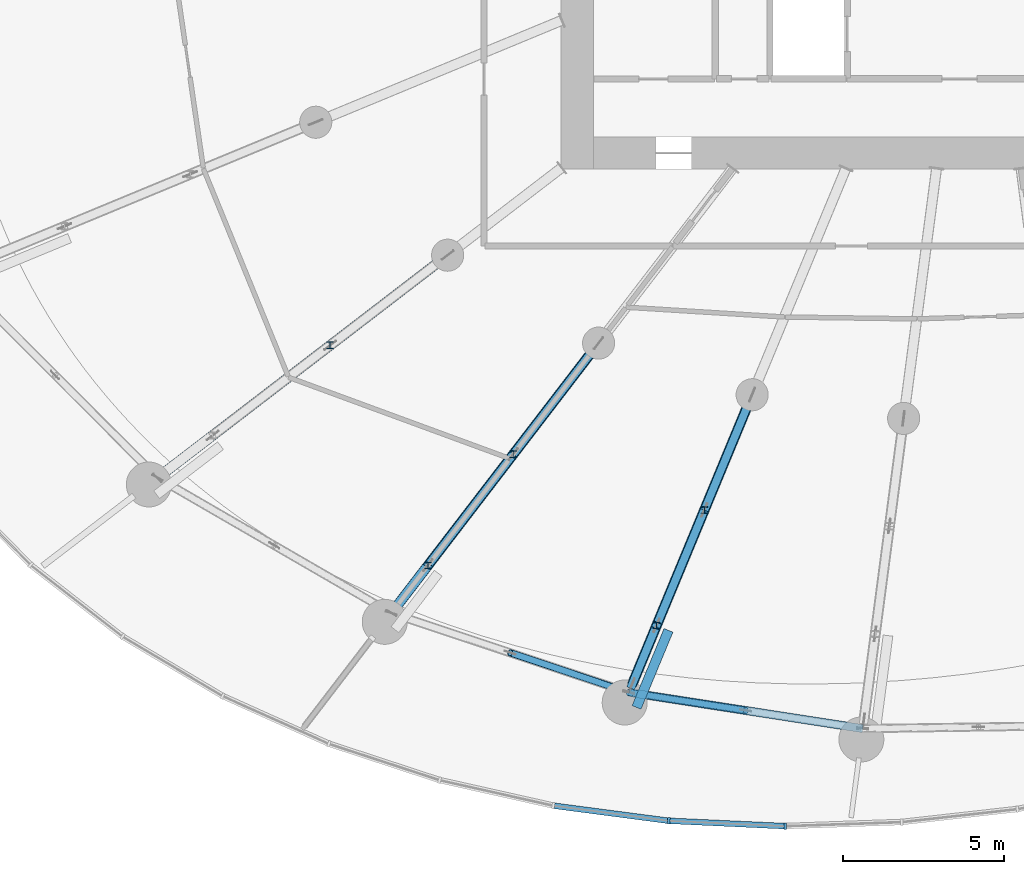
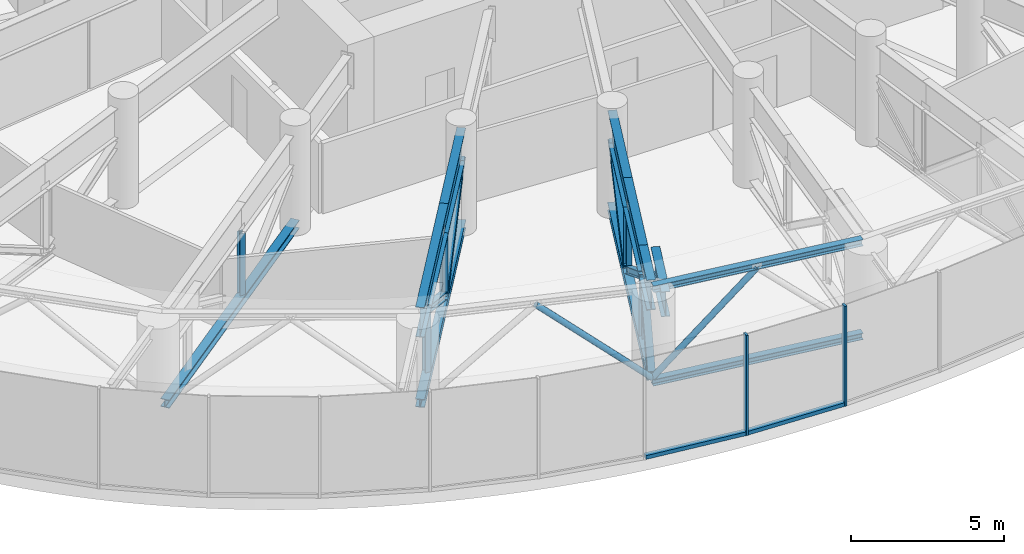
# One storey, part 3 of 42: 21 members, 6 beams, 1 element without a shape of its own.
"""IFC4 building model written with IfcOpenShell, lengths in metres."""

from ifc_helpers import new_model, si_unit, direction, frame, origin, origin_2d, place, context, subcontext, project, spatial, rectangle, hollow_circle, i_section, extrude, source, transform, mapped, material, layer, layer_set, material_profile, profile_set, type_object, element, aggregate, save


model = new_model("IFC4")

# Units and contexts
model_context = context("Model", 3, precision=1e-05, world=origin(), true_north=direction((0.0, 1.0)))
body_context = subcontext(model_context, "Body", "Model", "MODEL_VIEW")
ifc_project = project(units=[si_unit("LENGTHUNIT", "METRE"), si_unit("AREAUNIT", "SQUARE_METRE"), si_unit("VOLUMEUNIT", "CUBIC_METRE"), si_unit("PLANEANGLEUNIT", "RADIAN"), si_unit("MASSUNIT", "GRAM", prefix="KILO")], contexts=[model_context])

# Site, building, storey
site_placement = place(None, origin())
site = spatial("IfcSite", under=ifc_project, at=site_placement, CompositionType="ELEMENT")
building_placement = place(site_placement, origin())
building = spatial("IfcBuilding", under=site, at=building_placement, Name="Spindrift Exchange Tower", CompositionType="ELEMENT")
storey_placement = place(building_placement, frame((0.0, 0.0, 75.39990234375)))
storey = spatial("IfcBuildingStorey", under=building, at=storey_placement, Name="L17", CompositionType="ELEMENT", Elevation=75.39990234375)

# Members
ifc_material_1 = material(Name="Steel Grade 300", Category="steel")
ifc_material_profile_1 = material_profile(ifc_material_1, i_section(OverallWidth=0.205078125, OverallDepth=0.2099609375, WebThickness=0.00927734375, FlangeThickness=0.01416015625, FilletRadius=0.012939453125, at=origin_2d()), Name="200UC59.5")
ifc_profile_set_1 = profile_set([ifc_material_profile_1], Name="Steel Grade 300")
member_type_1 = type_object("IfcMemberType", Name="Outrigger Truss Post 200UC59.5 Steel Grade 300", PredefinedType="POST", material=ifc_profile_set_1)
shared_shape_1 = source(origin(), body_context, "Body", "SweptSolid", [
    extrude(i_section(OverallWidth=0.205078125, OverallDepth=0.2099609375, WebThickness=0.00927734375, FlangeThickness=0.01416015625, FilletRadius=0.012939453125, at=origin_2d()), origin(), (0.0, 0.0, 1.0), 2.472900390625),
])
for number, where, z_axis, x_axis, name in (
    (1, (31.80859375, 32.506591796875, 0.3271484375), (0.0, 0.0, 1.0), (1.0, 0.0, 0.0), "L17 outrigger truss 15 post 2"),
    (2, (37.509521484375, 29.11572265625, 0.3271484375), (0.0, 0.0, 1.0), (1.0, 0.0, 0.0), "L17 outrigger truss 16 post 2"),
    (3, (34.854248046875, 25.6552734375, 0.3271484375), (0.0, 0.0, 1.0), (1.0, 0.0, 0.0), "L17 outrigger truss 16 post 3"),
    (4, (43.458251953125, 27.37841796875, 0.3271484375), (0.0, 0.0, 1.0), (1.0, 0.0, 0.0), "L17 outrigger truss 17 post 2"),
    (5, (41.970947265625, 23.787841796875, 0.3271484375), (0.0, 0.0, 1.0), (1.0, 0.0, 0.0), "L17 outrigger truss 17 post 3"),
):
    element("IfcMember", number, at=place(storey_placement, frame(where, z_axis=z_axis, x_axis=x_axis)), inside=storey, type_object=member_type_1, Name=name, PredefinedType="POST", context=body_context, shape_type="MappedRepresentation", body=[
        mapped(shared_shape_1, transform((0.0, 0.0, 0.0), scale=1.0)),
    ])
ifc_material_profile_2 = material_profile(ifc_material_1, i_section(OverallWidth=0.31103515625, OverallDepth=0.326904296875, WebThickness=0.015625, FlangeThickness=0.02490234375, FilletRadius=0.0166015625, at=origin_2d()), Name="310UC158")
ifc_profile_set_2 = profile_set([ifc_material_profile_2], Name="Steel Grade 300")
member_type_2 = type_object("IfcMemberType", Name="Outrigger Truss Chord 310UC158 Steel Grade 300", PredefinedType="CHORD", material=ifc_profile_set_2)
shared_shape_2 = source(origin(), body_context, "Body", "SweptSolid", [
    extrude(i_section(OverallWidth=0.31103515625, OverallDepth=0.326904296875, WebThickness=0.015625, FlangeThickness=0.02490234375, FilletRadius=0.0166015625, at=origin_2d()), origin(), (0.0, 0.0, 1.0), 11.143310546875),
])
member_1_placement = place(storey_placement, frame((35.465087890625, 35.3125, 0.16357421875), z_axis=(-0.79334992847, -0.608765875355, 0.0), x_axis=(0.608765875355, -0.79334992847, 0.0)))
element("IfcMember", 6, at=member_1_placement, inside=storey, type_object=member_type_2, Name="L17 outrigger truss 15 bottom chord 2", PredefinedType="CHORD", context=body_context, shape_type="MappedRepresentation", body=[
    mapped(shared_shape_2, transform((0.0, 0.0, 0.0), scale=1.0)),
])

# Beam
ifc_material_profile_3 = material_profile(ifc_material_1, i_section(OverallWidth=0.300048828125, OverallDepth=1.199951171875, WebThickness=0.011962890625, FlangeThickness=0.028076171875, at=origin_2d()), Name="1200WB249")
ifc_profile_set_3 = profile_set([ifc_material_profile_3], Name="Steel Grade 300")
beam_type_1 = type_object("IfcBeamType", Name="Outrigger Truss Transfer Girder 1200WB249 Steel Grade 300", PredefinedType="BEAM", material=ifc_profile_set_3)
shared_shape_3 = source(origin(), body_context, "Body", "SweptSolid", [
    extrude(i_section(OverallWidth=0.300048828125, OverallDepth=1.199951171875, WebThickness=0.011962890625, FlangeThickness=0.028076171875, at=origin_2d()), origin(), (0.0, 0.0, 1.0), 4.36181640625),
])
beam_1_placement = place(storey_placement, frame((40.164794921875, 32.576171875, 3.400146484375), z_axis=(-0.608758162238, -0.793355846962, 0.0), x_axis=(0.793355846962, -0.608758162238, 0.0)))
element("IfcBeam", 7, at=beam_1_placement, inside=storey, type_object=beam_type_1, Name="L17 outrigger truss 16 top chord 2", PredefinedType="BEAM", context=body_context, shape_type="MappedRepresentation", body=[
    mapped(shared_shape_3, transform((0.0, 0.0, 0.0), scale=1.0)),
])

# Members
shared_shape_4 = source(origin(), body_context, "Body", "SweptSolid", [
    extrude(i_section(OverallWidth=0.31103515625, OverallDepth=0.326904296875, WebThickness=0.015625, FlangeThickness=0.02490234375, FilletRadius=0.0166015625, at=origin_2d()), origin(), (0.0, 0.0, 1.0), 10.35546875),
])
member_2_placement = place(storey_placement, frame((40.164794921875, 32.576171875, 0.16357421875), z_axis=(-0.608756673514, -0.793356989288, 0.0), x_axis=(0.793356989288, -0.608756673514, 0.0)))
element("IfcMember", 8, at=member_2_placement, inside=storey, type_object=member_type_2, Name="L17 outrigger truss 16 bottom chord 2", PredefinedType="CHORD", context=body_context, shape_type="MappedRepresentation", body=[
    mapped(shared_shape_4, transform((0.0, 0.0, 0.0), scale=1.0)),
])
ifc_material_profile_4 = material_profile(ifc_material_1, i_section(OverallWidth=0.256103515625, OverallDepth=0.260009765625, WebThickness=0.010498046875, FlangeThickness=0.017333984375, FilletRadius=0.011962890625, at=origin_2d()), Name="250UC89.5")
ifc_profile_set_4 = profile_set([ifc_material_profile_4], Name="Steel Grade 300")
member_type_3 = type_object("IfcMemberType", Name="Outrigger Truss Diagonal 250UC89.5 Steel Grade 300", PredefinedType="BRACE", material=ifc_profile_set_4)
shared_shape_5 = source(origin(), body_context, "Body", "SweptSolid", [
    extrude(i_section(OverallWidth=0.256103515625, OverallDepth=0.260009765625, WebThickness=0.010498046875, FlangeThickness=0.017333984375, FilletRadius=0.011962890625, at=origin_2d()), origin(), (0.0, 0.0, 1.0), 5.013916015625),
])
for number, where, z_axis, x_axis, name in (
    (9, (40.164794921875, 32.576171875, 2.800048828125), (-0.529569504176, -0.690154298657, -0.493196902152), (0.793355846962, -0.608758162238, 0.0), "L17 outrigger truss 16 diagonal 2"),
    (10, (37.509521484375, 29.11572265625, 0.3271484375), (-0.529569504176, -0.690154298657, 0.493196902152), (0.793355846962, -0.608758162238, 0.0), "L17 outrigger truss 16 diagonal 3"),
):
    element("IfcMember", number, at=place(storey_placement, frame(where, z_axis=z_axis, x_axis=x_axis)), inside=storey, type_object=member_type_3, Name=name, PredefinedType="BRACE", context=body_context, shape_type="MappedRepresentation", body=[
        mapped(shared_shape_5, transform((0.0, 0.0, 0.0), scale=1.0)),
    ])

# Beams
shared_shape_6 = source(origin(), body_context, "Body", "SweptSolid", [
    extrude(i_section(OverallWidth=0.300048828125, OverallDepth=1.199951171875, WebThickness=0.011962890625, FlangeThickness=0.028076171875, at=origin_2d()), origin(), (0.0, 0.0, 1.0), 5.99365234375),
])
beam_2_placement = place(storey_placement, frame((37.509521484375, 29.11572265625, 3.400146484375), z_axis=(-0.60875559012, -0.793357820594, 0.0), x_axis=(0.793357820594, -0.60875559012, 0.0)))
element("IfcBeam", 11, at=beam_2_placement, inside=storey, type_object=beam_type_1, Name="L17 outrigger truss 16 top chord 3", PredefinedType="BEAM", context=body_context, shape_type="MappedRepresentation", body=[
    mapped(shared_shape_6, transform((0.0, 0.0, 0.0), scale=1.0)),
])
shared_shape_7 = source(origin(), body_context, "Body", "SweptSolid", [
    extrude(i_section(OverallWidth=0.300048828125, OverallDepth=1.199951171875, WebThickness=0.011962890625, FlangeThickness=0.028076171875, at=origin_2d()), origin(), (0.0, 0.0, 1.0), 3.885986328125),
])
beam_3_placement = place(storey_placement, frame((44.9453125, 30.96875, 3.400146484375), z_axis=(-0.382660661083, -0.923888964356, 0.0), x_axis=(0.923888964356, -0.382660661083, 0.0)))
element("IfcBeam", 12, at=beam_3_placement, inside=storey, type_object=beam_type_1, Name="L17 outrigger truss 17 top chord 2", PredefinedType="BEAM", context=body_context, shape_type="MappedRepresentation", body=[
    mapped(shared_shape_7, transform((0.0, 0.0, 0.0), scale=1.0)),
])

# Members
shared_shape_8 = source(origin(), body_context, "Body", "SweptSolid", [
    extrude(i_section(OverallWidth=0.31103515625, OverallDepth=0.326904296875, WebThickness=0.015625, FlangeThickness=0.02490234375, FilletRadius=0.0166015625, at=origin_2d()), origin(), (0.0, 0.0, 1.0), 9.789306640625),
])
member_3_placement = place(storey_placement, frame((44.9453125, 30.96875, 0.16357421875), z_axis=(-0.382671907056, -0.923884306366, 0.0), x_axis=(0.923884306366, -0.382671907056, 0.0)))
element("IfcMember", 13, at=member_3_placement, inside=storey, type_object=member_type_2, Name="L17 outrigger truss 17 bottom chord 2", PredefinedType="CHORD", context=body_context, shape_type="MappedRepresentation", body=[
    mapped(shared_shape_8, transform((0.0, 0.0, 0.0), scale=1.0)),
])
shared_shape_9 = source(origin(), body_context, "Body", "SweptSolid", [
    extrude(i_section(OverallWidth=0.256103515625, OverallDepth=0.260009765625, WebThickness=0.010498046875, FlangeThickness=0.017333984375, FilletRadius=0.011962890625, at=origin_2d()), origin(), (0.0, 0.0, 1.0), 4.606201171875),
])
member_4_placement = place(storey_placement, frame((44.9453125, 30.96875, 2.800048828125), z_axis=(-0.322838969201, -0.77945655575, -0.536863555909), x_axis=(0.923888964356, -0.382660661083, 0.0)))
element("IfcMember", 14, at=member_4_placement, inside=storey, type_object=member_type_3, Name="L17 outrigger truss 17 diagonal 2", PredefinedType="BRACE", context=body_context, shape_type="MappedRepresentation", body=[
    mapped(shared_shape_9, transform((0.0, 0.0, 0.0), scale=1.0)),
])

# Beam
shared_shape_10 = source(origin(), body_context, "Body", "SweptSolid", [
    extrude(i_section(OverallWidth=0.300048828125, OverallDepth=1.199951171875, WebThickness=0.011962890625, FlangeThickness=0.028076171875, at=origin_2d()), origin(), (0.0, 0.0, 1.0), 3.886474609375),
])
beam_4_placement = place(storey_placement, frame((43.458251953125, 27.37841796875, 3.400146484375), z_axis=(-0.382692072447, -0.923875953625, 0.0), x_axis=(0.923875953625, -0.382692072447, 0.0)))
element("IfcBeam", 15, at=beam_4_placement, inside=storey, type_object=beam_type_1, Name="L17 outrigger truss 17 top chord 3", PredefinedType="BEAM", context=body_context, shape_type="MappedRepresentation", body=[
    mapped(shared_shape_10, transform((0.0, 0.0, 0.0), scale=1.0)),
])

# Member
shared_shape_11 = source(origin(), body_context, "Body", "SweptSolid", [
    extrude(i_section(OverallWidth=0.256103515625, OverallDepth=0.260009765625, WebThickness=0.010498046875, FlangeThickness=0.017333984375, FilletRadius=0.011962890625, at=origin_2d()), origin(), (0.0, 0.0, 1.0), 4.6064453125),
])
member_5_placement = place(storey_placement, frame((43.458251953125, 27.37841796875, 0.3271484375), z_axis=(-0.32287310775, -0.779464017676, 0.536832191136), x_axis=(0.923875953625, -0.382692072447, 0.0)))
element("IfcMember", 16, at=member_5_placement, inside=storey, type_object=member_type_3, Name="L17 outrigger truss 17 diagonal 3", PredefinedType="BRACE", context=body_context, shape_type="MappedRepresentation", body=[
    mapped(shared_shape_11, transform((0.0, 0.0, 0.0), scale=1.0)),
])

# Beam
shared_shape_12 = source(origin(), body_context, "Body", "SweptSolid", [
    extrude(i_section(OverallWidth=0.300048828125, OverallDepth=1.199951171875, WebThickness=0.011962890625, FlangeThickness=0.028076171875, at=origin_2d()), origin(), (0.0, 0.0, 1.0), 2.016845703125),
])
beam_5_placement = place(storey_placement, frame((41.970947265625, 23.787841796875, 3.400146484375), z_axis=(-0.382654716814, -0.923891426359, 0.0), x_axis=(0.923891426359, -0.382654716814, 0.0)))
element("IfcBeam", 17, at=beam_5_placement, inside=storey, type_object=beam_type_1, Name="L17 outrigger truss 17 top chord 4", PredefinedType="BEAM", context=body_context, shape_type="MappedRepresentation", body=[
    mapped(shared_shape_12, transform((0.0, 0.0, 0.0), scale=1.0)),
])

# Members
shared_shape_13 = source(origin(), body_context, "Body", "SweptSolid", [
    extrude(i_section(OverallWidth=0.256103515625, OverallDepth=0.260009765625, WebThickness=0.010498046875, FlangeThickness=0.017333984375, FilletRadius=0.011962890625, at=origin_2d()), origin(), (0.0, 0.0, 1.0), 3.19091796875),
])
member_6_placement = place(storey_placement, frame((41.970947265625, 23.787841796875, 2.800048828125), z_axis=(-0.241843721155, -0.58391372346, -0.774955726537), x_axis=(0.923891426359, -0.382654716814, 0.0)))
element("IfcMember", 18, at=member_6_placement, inside=storey, type_object=member_type_3, Name="L17 outrigger truss 17 diagonal 4", PredefinedType="BRACE", context=body_context, shape_type="MappedRepresentation", body=[
    mapped(shared_shape_13, transform((0.0, 0.0, 0.0), scale=1.0)),
])
ifc_material_2 = material(Name="Steel Grade 350", Category="steel")
ifc_material_profile_5 = material_profile(ifc_material_2, hollow_circle(Radius=0.109619140625, WallThickness=0.00830078125, at=origin_2d()), Name="219.1x8.2CHS")
ifc_profile_set_5 = profile_set([ifc_material_profile_5], Name="Steel Grade 350")
member_type_4 = type_object("IfcMemberType", Name="Belt Truss Diagonal 219.1x8.2CHS Steel Grade 350", PredefinedType="BRACE", material=ifc_profile_set_5)
shared_shape_14 = source(origin(), body_context, "Body", "SweptSolid", [
    extrude(hollow_circle(Radius=0.109619140625, WallThickness=0.00830078125, at=origin_2d()), origin(), (0.0, 0.0, 1.0), 5.224609375),
])
member_7_placement = place(storey_placement, frame((37.410888671875, 22.936279296875, 3.739990234375), z_axis=(0.70752397783, -0.236121700018, -0.666075343768), x_axis=(0.316566051209, 0.948570469297, 0.0)))
element("IfcMember", 19, at=member_7_placement, inside=storey, type_object=member_type_4, Name="L17 belt truss 16 diagonal 2", PredefinedType="BRACE", context=body_context, shape_type="MappedRepresentation", body=[
    mapped(shared_shape_14, transform((0.0, 0.0, 0.0), scale=1.0)),
])
ifc_material_profile_6 = material_profile(ifc_material_1, i_section(OverallWidth=0.256103515625, OverallDepth=0.260009765625, WebThickness=0.010498046875, FlangeThickness=0.017333984375, FilletRadius=0.011962890625, at=origin_2d()), Name="250UC89.5")
ifc_profile_set_6 = profile_set([ifc_material_profile_6], Name="Steel Grade 300")
member_type_5 = type_object("IfcMemberType", Name="Belt Truss Chord 250UC89.5 Steel Grade 300", PredefinedType="CHORD", material=ifc_profile_set_6)
shared_shape_15 = source(origin(), body_context, "Body", "SweptSolid", [
    extrude(i_section(OverallWidth=0.256103515625, OverallDepth=0.260009765625, WebThickness=0.010498046875, FlangeThickness=0.017333984375, FilletRadius=0.011962890625, at=origin_2d()), origin(), (0.0, 0.0, 1.0), 7.36865234375),
])
for number, where, z_axis, x_axis, name in (
    (20, (41.107421875, 21.70263671875, 3.8701171875), (0.98823571142, -0.152938480032, 0.0), (0.152938480032, 0.98823571142, 0.0), "L17 belt truss 17 top chord"),
    (21, (41.107421875, 21.70263671875, 0.130126953125), (0.98823571142, -0.152938480032, 0.0), (0.152938480032, 0.98823571142, 0.0), "L17 belt truss 17 bottom chord"),
):
    element("IfcMember", number, at=place(storey_placement, frame(where, z_axis=z_axis, x_axis=x_axis)), inside=storey, type_object=member_type_5, Name=name, PredefinedType="CHORD", context=body_context, shape_type="MappedRepresentation", body=[
        mapped(shared_shape_15, transform((0.0, 0.0, 0.0), scale=1.0)),
    ])
shared_shape_16 = source(origin(), body_context, "Body", "SweptSolid", [
    extrude(hollow_circle(Radius=0.109619140625, WallThickness=0.00830078125, at=origin_2d()), origin(), (0.0, 0.0, 1.0), 5.06787109375),
])
member_8_placement = place(storey_placement, frame((41.107421875, 21.70263671875, 0.260009765625), z_axis=(0.718416490545, -0.111185224983, 0.686669929339), x_axis=(0.152943487778, 0.988234936412, 0.0)))
element("IfcMember", 22, at=member_8_placement, inside=storey, type_object=member_type_4, Name="L17 belt truss 17 diagonal 1", PredefinedType="BRACE", context=body_context, shape_type="MappedRepresentation", body=[
    mapped(shared_shape_16, transform((0.0, 0.0, 0.0), scale=1.0)),
])

# Beam
ifc_material_profile_7 = material_profile(ifc_material_1, i_section(OverallWidth=0.300048828125, OverallDepth=1.0, WebThickness=0.010009765625, FlangeThickness=0.02001953125, at=origin_2d()), Name="1000WB215")
ifc_profile_set_7 = profile_set([ifc_material_profile_7], Name="Steel Grade 300")
beam_type_2 = type_object("IfcBeamType", Name="Transfer Tie Beam 1000WB215 Steel Grade 300", PredefinedType="BEAM", material=ifc_profile_set_7)
shared_shape_17 = source(origin(), body_context, "Body", "SweptSolid", [
    extrude(i_section(OverallWidth=0.300048828125, OverallDepth=1.0, WebThickness=0.010009765625, FlangeThickness=0.02001953125, at=origin_2d()), origin(), (0.0, 0.0, 1.0), 2.596923828125),
])
beam_6_placement = place(storey_placement, frame((41.3466796875, 21.235595703125, 3.400146484375), z_axis=(0.382725425884, 0.923862137108, 0.0), x_axis=(-0.923862137108, 0.382725425884, 0.0)))
element("IfcBeam", 23, at=beam_6_placement, inside=storey, type_object=beam_type_2, Name="L17 transfer tie beam K17", PredefinedType="BEAM", context=body_context, shape_type="MappedRepresentation", body=[
    mapped(shared_shape_17, transform((0.0, 0.0, 0.0), scale=1.0)),
])

# Curtain wall, members
ifc_material_3 = material(Name="Fritted laminated glass with bronze frame", Category="glass")
ifc_layer = layer(ifc_material_3, 0.199951171875)
ifc_layer_set = layer_set([ifc_layer], Name="ZONE 1 BRONZE FRITTED WALL")
curtain_wall_type = type_object("IfcCurtainWallType", Name="ZONE 1 BRONZE FRITTED WALL", PredefinedType="NOTDEFINED", material=ifc_layer_set)
curtain_wall_placement = place(storey_placement, origin())
curtain_wall = element("IfcCurtainWall", 24, at=curtain_wall_placement, inside=storey, type_object=curtain_wall_type, Name="L17 Zone 1 Bronze Fritted Wall run 7", PredefinedType="NOTDEFINED")
ifc_material_4 = material(Name="Bronze anodised aluminium", Category="aluminium")
ifc_material_profile_8 = material_profile(ifc_material_4, rectangle(XDim=0.179931640625, YDim=0.14990234375, at=origin_2d()), Name="ZONE 1 BRONZE FRITTED WALL TRANSOM 180X150")
ifc_profile_set_8 = profile_set([ifc_material_profile_8], Name="Bronze anodised aluminium")
member_type_6 = type_object("IfcMemberType", Name="ZONE 1 BRONZE FRITTED WALL TRANSOM 180X150", PredefinedType="USERDEFINED", material=ifc_profile_set_8)
shared_shape_18 = source(origin(), body_context, "Body", "SweptSolid", [
    extrude(rectangle(XDim=0.179931640625, YDim=0.14990234375, at=origin_2d()), origin(), (0.0, 0.0, 1.0), 3.547119140625),
])
member_9_placement = place(storey_placement, frame((38.79345703125, 18.172119140625, 0.0751953125), z_axis=(0.991503419746, -0.130080623582, 0.0), x_axis=(0.130080623582, 0.991503419746, 0.0)))
member_9 = element("IfcMember", 25, at=member_9_placement, type_object=member_type_6, Name="L17 transom CW-1.39", ObjectType="TRANSOM", PredefinedType="USERDEFINED", context=body_context, shape_type="MappedRepresentation", body=[
    mapped(shared_shape_18, transform((0.0, 0.0, 0.0), scale=1.0)),
])
member_10_placement = place(storey_placement, frame((42.39013671875, 17.70361328125, 0.0751953125), z_axis=(0.998955157436, -0.045701131634, 0.0), x_axis=(0.045701131634, 0.998955157436, 0.0)))
member_10 = element("IfcMember", 26, at=member_10_placement, type_object=member_type_6, Name="L17 transom CW-1.40", ObjectType="TRANSOM", PredefinedType="USERDEFINED", context=body_context, shape_type="MappedRepresentation", body=[
    mapped(shared_shape_18, transform((0.0, 0.0, 0.0), scale=1.0)),
])
ifc_material_profile_9 = material_profile(ifc_material_4, rectangle(XDim=0.080078125, YDim=0.199951171875, at=origin_2d()), Name="ZONE 1 BRONZE FRITTED WALL MULLION 80X200")
ifc_profile_set_9 = profile_set([ifc_material_profile_9], Name="Bronze anodised aluminium")
member_type_7 = type_object("IfcMemberType", Name="ZONE 1 BRONZE FRITTED WALL MULLION 80X200", PredefinedType="MULLION", material=ifc_profile_set_9)
shared_shape_19 = source(origin(), body_context, "Body", "SweptSolid", [
    extrude(rectangle(XDim=0.080078125, YDim=0.199951171875, at=origin_2d()), origin(), (0.0, 0.0, 1.0), 4.0),
])
member_11_placement = place(storey_placement, frame((42.35009765625, 17.70556640625, 0.0), z_axis=(0.0, 0.0, 1.0), x_axis=(0.996123995567, -0.087960135606, 0.0)))
member_11 = element("IfcMember", 27, at=member_11_placement, type_object=member_type_7, Name="L17 mullion CW-1.40", PredefinedType="MULLION", context=body_context, shape_type="MappedRepresentation", body=[
    mapped(shared_shape_19, transform((0.0, 0.0, 0.0), scale=1.0)),
])
member_12_placement = place(storey_placement, frame((45.973388671875, 17.539794921875, 0.0), z_axis=(0.0, 0.0, 1.0), x_axis=(0.999984847227, -0.005505026505, 0.0)))
member_12 = element("IfcMember", 28, at=member_12_placement, type_object=member_type_7, Name="L17 mullion CW-1.41", PredefinedType="MULLION", context=body_context, shape_type="MappedRepresentation", body=[
    mapped(shared_shape_19, transform((0.0, 0.0, 0.0), scale=1.0)),
])
aggregate(curtain_wall, [member_9, member_11, member_10, member_12])

save(model, "model.ifc")
